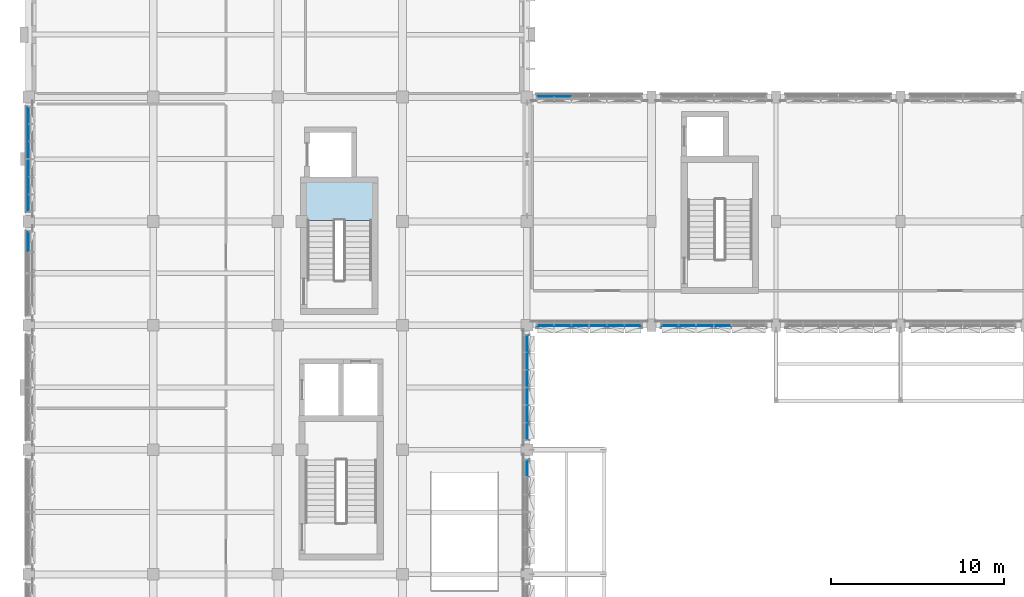
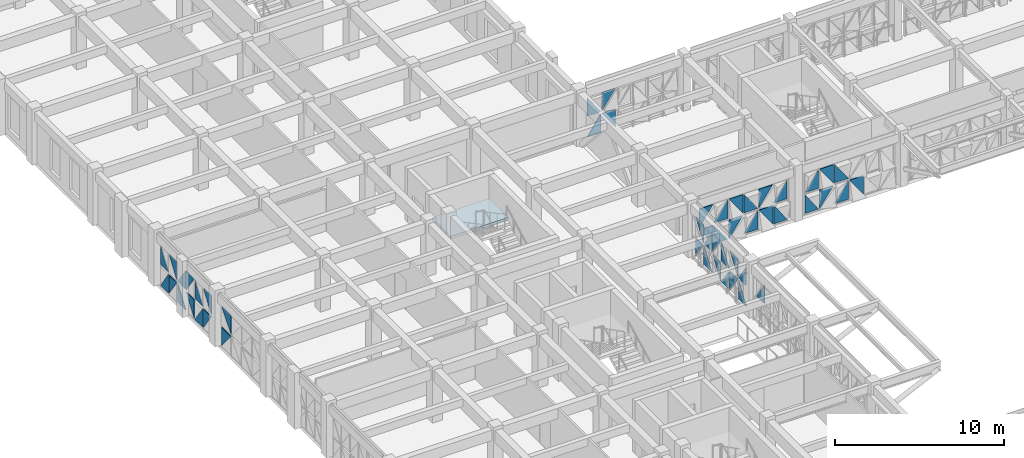
# One storey, part 33 of 88: 50 plates, 1 slab, 8 elements without a shape of their own.
"""IFC4 building model written with IfcOpenShell, lengths in metres."""

from ifc_helpers import new_model, si_unit, direction, frame, origin, place, context, subcontext, project, spatial, polyline, outline, extrude, material, layer, layer_set, type_object, element, aggregate, save


model = new_model("IFC4")

# Units and contexts
model_context = context("Model", 3, precision=1e-05, world=origin(), true_north=direction((0.0, 1.0)))
body_context = subcontext(model_context, "Body", "Model", "MODEL_VIEW")
ifc_project = project(units=[si_unit("LENGTHUNIT", "METRE"), si_unit("AREAUNIT", "SQUARE_METRE"), si_unit("VOLUMEUNIT", "CUBIC_METRE"), si_unit("PLANEANGLEUNIT", "RADIAN"), si_unit("MASSUNIT", "GRAM", prefix="KILO")], contexts=[model_context])

# Site, building, storey
site_placement = place(None, origin())
site = spatial("IfcSite", under=ifc_project, at=site_placement, CompositionType="ELEMENT")
building_placement = place(site_placement, origin())
building = spatial("IfcBuilding", under=site, at=building_placement, Name="Alvorim Cloister Faculty of Sciences", CompositionType="ELEMENT")
storey_placement = place(building_placement, frame((0.0, 0.0, 4.5)))
storey = spatial("IfcBuildingStorey", under=building, at=storey_placement, Name="L01", CompositionType="ELEMENT", Elevation=4.5)

# Curtain wall, plates
ifc_material_1 = material(Name="Aluminium and Low-E Glass Curtain Wall", Category="aluminium")
curtain_wall_type_1 = type_object("IfcCurtainWallType", Name="CW-TRI-4920x3170", PredefinedType="USERDEFINED", material=ifc_material_1)
curtain_wall_1_placement = place(storey_placement, origin())
curtain_wall_1 = element("IfcCurtainWall", 1, at=curtain_wall_1_placement, inside=storey, type_object=curtain_wall_type_1, Name="L01 Diagonal Cassette Curtain Wall CW-0010", ObjectType="UNITISED CURTAIN WALL", PredefinedType="USERDEFINED")
ifc_material_2 = material(Name="Double Low-E Laminated Glass", Category="glass")
ifc_layer_1 = layer(ifc_material_2, 0.0400390625)
ifc_layer_set_1 = layer_set([ifc_layer_1], Name="Double Low-E Laminated Glass")
plate_type = type_object("IfcPlateType", Name="PN-GLZ-40", PredefinedType="CURTAIN_PANEL", material=ifc_layer_set_1)
plate_1_placement = place(storey_placement, frame((-0.02490234375, 47.467529296875, 0.159912109375), z_axis=(0.0, 0.0, 1.0), x_axis=(0.0, 1.0, 0.0)))
plate_1 = element("IfcPlate", 2, at=plate_1_placement, type_object=plate_type, Name="Diagonal Glazed Triangle TRI-TR", PredefinedType="CURTAIN_PANEL", context=body_context, shape_type="SweptSolid", body=[
    extrude(outline(polyline([(1.117431640625, 0.001953125), (1.117431640625, 1.344970703125), (0.001953125, 1.344970703125), (1.117431640625, 0.001953125)])), frame((0.0, 0.02490234375, 0.0), z_axis=(0.0, -1.0, 0.0), x_axis=(1.0, 0.0, 0.0)), (0.0, 0.0, 1.0), 0.050048828125),
])
plate_2_placement = place(storey_placement, frame((-0.02490234375, 47.467529296875, 1.6650390625), z_axis=(0.0, 0.0, 1.0), x_axis=(0.0, 1.0, 0.0)))
plate_2 = element("IfcPlate", 3, at=plate_2_placement, type_object=plate_type, Name="Diagonal Glazed Triangle TRI-TL", PredefinedType="CURTAIN_PANEL", context=body_context, shape_type="SweptSolid", body=[
    extrude(outline(polyline([(1.115478515625, 1.344970703125), (0.0, 1.344970703125), (0.0, 0.001953125), (1.115478515625, 1.344970703125)])), frame((0.0, 0.02490234375, 0.0), z_axis=(0.0, -1.0, 0.0), x_axis=(1.0, 0.0, 0.0)), (0.0, 0.0, 1.0), 0.050048828125),
])
aggregate(curtain_wall_1, [plate_1, plate_2])

curtain_wall_type_2 = type_object("IfcCurtainWallType", Name="CW-TRI-6120x3170", PredefinedType="USERDEFINED", material=ifc_material_1)
curtain_wall_2_placement = place(storey_placement, origin())
curtain_wall_2 = element("IfcCurtainWall", 4, at=curtain_wall_2_placement, inside=storey, type_object=curtain_wall_type_2, Name="L01 Diagonal Cassette Curtain Wall CW-0011", ObjectType="UNITISED CURTAIN WALL", PredefinedType="USERDEFINED")
plate_3_placement = place(storey_placement, frame((-0.02490234375, 49.81494140625, 0.159912109375), z_axis=(0.0, 0.0, 1.0), x_axis=(0.0, 1.0, 0.0)))
plate_3 = element("IfcPlate", 5, at=plate_3_placement, type_object=plate_type, Name="Diagonal Glazed Triangle TRI-TR", PredefinedType="CURTAIN_PANEL", context=body_context, shape_type="SweptSolid", body=[
    extrude(outline(polyline([(0.907470703125, 0.001953125), (0.907470703125, 1.344970703125), (0.001953125, 1.344970703125), (0.907470703125, 0.001953125)])), frame((0.0, 0.02490234375, 0.0), z_axis=(0.0, -1.0, 0.0), x_axis=(1.0, 0.0, 0.0)), (0.0, 0.0, 1.0), 0.050048828125),
])
plate_4_placement = place(storey_placement, frame((-0.02490234375, 49.81494140625, 1.6650390625), z_axis=(0.0, 0.0, 1.0), x_axis=(0.0, 1.0, 0.0)))
plate_4 = element("IfcPlate", 6, at=plate_4_placement, type_object=plate_type, Name="Diagonal Glazed Triangle TRI-TL", PredefinedType="CURTAIN_PANEL", context=body_context, shape_type="SweptSolid", body=[
    extrude(outline(polyline([(0.905517578125, 1.344970703125), (0.0, 1.344970703125), (0.0, 0.001953125), (0.905517578125, 1.344970703125)])), frame((0.0, 0.02490234375, 0.0), z_axis=(0.0, -1.0, 0.0), x_axis=(1.0, 0.0, 0.0)), (0.0, 0.0, 1.0), 0.050048828125),
])
plate_5_placement = place(storey_placement, frame((-0.02490234375, 50.797607421875, 0.159912109375), z_axis=(0.0, 0.0, 1.0), x_axis=(0.0, 1.0, 0.0)))
plate_5 = element("IfcPlate", 7, at=plate_5_placement, type_object=plate_type, Name="Diagonal Glazed Triangle TRI-BL", PredefinedType="CURTAIN_PANEL", context=body_context, shape_type="SweptSolid", body=[
    extrude(outline(polyline([(0.0, 0.0), (0.943115234375, 0.0), (0.0, 1.343017578125), (0.0, 0.0)])), frame((0.0, 0.02490234375, 0.0), z_axis=(0.0, -1.0, 0.0), x_axis=(1.0, 0.0, 0.0)), (0.0, 0.0, 1.0), 0.050048828125),
])
plate_6_placement = place(storey_placement, frame((-0.02490234375, 50.797607421875, 1.6650390625), z_axis=(0.0, 0.0, 1.0), x_axis=(0.0, 1.0, 0.0)))
plate_6 = element("IfcPlate", 8, at=plate_6_placement, type_object=plate_type, Name="Diagonal Glazed Triangle TRI-BR", PredefinedType="CURTAIN_PANEL", context=body_context, shape_type="SweptSolid", body=[
    extrude(outline(polyline([(0.001953125, 0.0), (0.945068359375, 0.0), (0.945068359375, 1.343017578125), (0.001953125, 0.0)])), frame((0.0, 0.02490234375, 0.0), z_axis=(0.0, -1.0, 0.0), x_axis=(1.0, 0.0, 0.0)), (0.0, 0.0, 1.0), 0.050048828125),
])
plate_7_placement = place(storey_placement, frame((-0.02490234375, 51.8173828125, 0.159912109375), z_axis=(0.0, 0.0, 1.0), x_axis=(0.0, 1.0, 0.0)))
plate_7 = element("IfcPlate", 9, at=plate_7_placement, type_object=plate_type, Name="Diagonal Glazed Triangle TRI-TL", PredefinedType="CURTAIN_PANEL", context=body_context, shape_type="SweptSolid", body=[
    extrude(outline(polyline([(0.943115234375, 1.344970703125), (0.0, 1.344970703125), (0.0, 0.001953125), (0.943115234375, 1.344970703125)])), frame((0.0, 0.02490234375, 0.0), z_axis=(0.0, -1.0, 0.0), x_axis=(1.0, 0.0, 0.0)), (0.0, 0.0, 1.0), 0.050048828125),
])
plate_8_placement = place(storey_placement, frame((-0.02490234375, 51.8173828125, 1.6650390625), z_axis=(0.0, 0.0, 1.0), x_axis=(0.0, 1.0, 0.0)))
plate_8 = element("IfcPlate", 10, at=plate_8_placement, type_object=plate_type, Name="Diagonal Glazed Triangle TRI-TR", PredefinedType="CURTAIN_PANEL", context=body_context, shape_type="SweptSolid", body=[
    extrude(outline(polyline([(0.945068359375, 0.001953125), (0.945068359375, 1.344970703125), (0.001953125, 1.344970703125), (0.945068359375, 0.001953125)])), frame((0.0, 0.02490234375, 0.0), z_axis=(0.0, -1.0, 0.0), x_axis=(1.0, 0.0, 0.0)), (0.0, 0.0, 1.0), 0.050048828125),
])
plate_9_placement = place(storey_placement, frame((-0.02490234375, 52.83740234375, 0.159912109375), z_axis=(0.0, 0.0, 1.0), x_axis=(0.0, 1.0, 0.0)))
plate_9 = element("IfcPlate", 11, at=plate_9_placement, type_object=plate_type, Name="Diagonal Glazed Triangle TRI-BR", PredefinedType="CURTAIN_PANEL", context=body_context, shape_type="SweptSolid", body=[
    extrude(outline(polyline([(0.001953125, 0.0), (0.945068359375, 0.0), (0.945068359375, 1.343017578125), (0.001953125, 0.0)])), frame((0.0, 0.02490234375, 0.0), z_axis=(0.0, -1.0, 0.0), x_axis=(1.0, 0.0, 0.0)), (0.0, 0.0, 1.0), 0.050048828125),
])
plate_10_placement = place(storey_placement, frame((-0.02490234375, 52.83740234375, 1.6650390625), z_axis=(0.0, 0.0, 1.0), x_axis=(0.0, 1.0, 0.0)))
plate_10 = element("IfcPlate", 12, at=plate_10_placement, type_object=plate_type, Name="Diagonal Glazed Triangle TRI-BL", PredefinedType="CURTAIN_PANEL", context=body_context, shape_type="SweptSolid", body=[
    extrude(outline(polyline([(0.0, 0.0), (0.943115234375, 0.0), (0.0, 1.343017578125), (0.0, 0.0)])), frame((0.0, 0.02490234375, 0.0), z_axis=(0.0, -1.0, 0.0), x_axis=(1.0, 0.0, 0.0)), (0.0, 0.0, 1.0), 0.050048828125),
])
plate_11_placement = place(storey_placement, frame((-0.02490234375, 53.857421875, 0.159912109375), z_axis=(0.0, 0.0, 1.0), x_axis=(0.0, 1.0, 0.0)))
plate_11 = element("IfcPlate", 13, at=plate_11_placement, type_object=plate_type, Name="Diagonal Glazed Triangle TRI-TR", PredefinedType="CURTAIN_PANEL", context=body_context, shape_type="SweptSolid", body=[
    extrude(outline(polyline([(0.945068359375, 0.001953125), (0.945068359375, 1.344970703125), (0.001953125, 1.344970703125), (0.945068359375, 0.001953125)])), frame((0.0, 0.02490234375, 0.0), z_axis=(0.0, -1.0, 0.0), x_axis=(1.0, 0.0, 0.0)), (0.0, 0.0, 1.0), 0.050048828125),
])
plate_12_placement = place(storey_placement, frame((-0.02490234375, 53.857421875, 1.6650390625), z_axis=(0.0, 0.0, 1.0), x_axis=(0.0, 1.0, 0.0)))
plate_12 = element("IfcPlate", 14, at=plate_12_placement, type_object=plate_type, Name="Diagonal Glazed Triangle TRI-TL", PredefinedType="CURTAIN_PANEL", context=body_context, shape_type="SweptSolid", body=[
    extrude(outline(polyline([(0.943115234375, 1.344970703125), (0.0, 1.344970703125), (0.0, 0.001953125), (0.943115234375, 1.344970703125)])), frame((0.0, 0.02490234375, 0.0), z_axis=(0.0, -1.0, 0.0), x_axis=(1.0, 0.0, 0.0)), (0.0, 0.0, 1.0), 0.050048828125),
])
plate_13_placement = place(storey_placement, frame((-0.02490234375, 54.87744140625, 0.159912109375), z_axis=(0.0, 0.0, 1.0), x_axis=(0.0, 1.0, 0.0)))
plate_13 = element("IfcPlate", 15, at=plate_13_placement, type_object=plate_type, Name="Diagonal Glazed Triangle TRI-BL", PredefinedType="CURTAIN_PANEL", context=body_context, shape_type="SweptSolid", body=[
    extrude(outline(polyline([(0.0, 0.0), (0.905517578125, 0.0), (0.0, 1.343017578125), (0.0, 0.0)])), frame((0.0, 0.02490234375, 0.0), z_axis=(0.0, -1.0, 0.0), x_axis=(1.0, 0.0, 0.0)), (0.0, 0.0, 1.0), 0.050048828125),
])
plate_14_placement = place(storey_placement, frame((-0.02490234375, 54.87744140625, 1.6650390625), z_axis=(0.0, 0.0, 1.0), x_axis=(0.0, 1.0, 0.0)))
plate_14 = element("IfcPlate", 16, at=plate_14_placement, type_object=plate_type, Name="Diagonal Glazed Triangle TRI-BR", PredefinedType="CURTAIN_PANEL", context=body_context, shape_type="SweptSolid", body=[
    extrude(outline(polyline([(0.001953125, 0.0), (0.907470703125, 0.0), (0.907470703125, 1.343017578125), (0.001953125, 0.0)])), frame((0.0, 0.02490234375, 0.0), z_axis=(0.0, -1.0, 0.0), x_axis=(1.0, 0.0, 0.0)), (0.0, 0.0, 1.0), 0.050048828125),
])
aggregate(curtain_wall_2, [plate_3, plate_4, plate_5, plate_6, plate_7, plate_8, plate_9, plate_10, plate_11, plate_12, plate_13, plate_14])

curtain_wall_3_placement = place(storey_placement, origin())
curtain_wall_3 = element("IfcCurtainWall", 17, at=curtain_wall_3_placement, inside=storey, type_object=curtain_wall_type_2, Name="L01 Diagonal Cassette Curtain Wall CW-0012", ObjectType="UNITISED CURTAIN WALL", PredefinedType="USERDEFINED")
plate_15_placement = place(storey_placement, frame((29.4150390625, 56.425048828125, 0.159912109375), z_axis=(0.0, 0.0, 1.0), x_axis=(1.0, 0.0, 0.0)))
plate_15 = element("IfcPlate", 18, at=plate_15_placement, type_object=plate_type, Name="Diagonal Glazed Triangle TRI-BR", PredefinedType="CURTAIN_PANEL", context=body_context, shape_type="SweptSolid", body=[
    extrude(outline(polyline([(0.001953125, 0.0), (0.907470703125, 0.0), (0.907470703125, 1.343017578125), (0.001953125, 0.0)])), frame((0.0, 0.02490234375, 0.0), z_axis=(0.0, -1.0, 0.0), x_axis=(1.0, 0.0, 0.0)), (0.0, 0.0, 1.0), 0.050048828125),
])
plate_16_placement = place(storey_placement, frame((29.4150390625, 56.425048828125, 1.6650390625), z_axis=(0.0, 0.0, 1.0), x_axis=(1.0, 0.0, 0.0)))
plate_16 = element("IfcPlate", 19, at=plate_16_placement, type_object=plate_type, Name="Diagonal Glazed Triangle TRI-BL", PredefinedType="CURTAIN_PANEL", context=body_context, shape_type="SweptSolid", body=[
    extrude(outline(polyline([(0.0, 0.0), (0.905517578125, 0.0), (0.0, 1.343017578125), (0.0, 0.0)])), frame((0.0, 0.02490234375, 0.0), z_axis=(0.0, -1.0, 0.0), x_axis=(1.0, 0.0, 0.0)), (0.0, 0.0, 1.0), 0.050048828125),
])
plate_17_placement = place(storey_placement, frame((30.3974609375, 56.425048828125, 0.159912109375), z_axis=(0.0, 0.0, 1.0), x_axis=(1.0, 0.0, 0.0)))
plate_17 = element("IfcPlate", 20, at=plate_17_placement, type_object=plate_type, Name="Diagonal Glazed Triangle TRI-TR", PredefinedType="CURTAIN_PANEL", context=body_context, shape_type="SweptSolid", body=[
    extrude(outline(polyline([(0.945068359375, 0.001953125), (0.945068359375, 1.344970703125), (0.001953125, 1.344970703125), (0.945068359375, 0.001953125)])), frame((0.0, 0.02490234375, 0.0), z_axis=(0.0, -1.0, 0.0), x_axis=(1.0, 0.0, 0.0)), (0.0, 0.0, 1.0), 0.050048828125),
])
plate_18_placement = place(storey_placement, frame((30.3974609375, 56.425048828125, 1.6650390625), z_axis=(0.0, 0.0, 1.0), x_axis=(1.0, 0.0, 0.0)))
plate_18 = element("IfcPlate", 21, at=plate_18_placement, type_object=plate_type, Name="Diagonal Glazed Triangle TRI-TL", PredefinedType="CURTAIN_PANEL", context=body_context, shape_type="SweptSolid", body=[
    extrude(outline(polyline([(0.943115234375, 1.344970703125), (0.0, 1.344970703125), (0.0, 0.001953125), (0.943115234375, 1.344970703125)])), frame((0.0, 0.02490234375, 0.0), z_axis=(0.0, -1.0, 0.0), x_axis=(1.0, 0.0, 0.0)), (0.0, 0.0, 1.0), 0.050048828125),
])
aggregate(curtain_wall_3, [plate_15, plate_16, plate_17, plate_18])

curtain_wall_4_placement = place(storey_placement, origin())
curtain_wall_4 = element("IfcCurtainWall", 22, at=curtain_wall_4_placement, inside=storey, type_object=curtain_wall_type_2, Name="L01 Diagonal Cassette Curtain Wall CW-0022", ObjectType="UNITISED CURTAIN WALL", PredefinedType="USERDEFINED")
plate_19_placement = place(storey_placement, frame((36.614990234375, 43.175048828125, 0.159912109375), z_axis=(0.0, 0.0, 1.0), x_axis=(1.0, 0.0, 0.0)))
plate_19 = element("IfcPlate", 23, at=plate_19_placement, type_object=plate_type, Name="Diagonal Glazed Triangle TRI-BL", PredefinedType="CURTAIN_PANEL", context=body_context, shape_type="SweptSolid", body=[
    extrude(outline(polyline([(0.0, 0.0), (0.905517578125, 0.0), (0.0, 1.343017578125), (0.0, 0.0)])), frame((0.0, 0.02490234375, 0.0), z_axis=(0.0, -1.0, 0.0), x_axis=(1.0, 0.0, 0.0)), (0.0, 0.0, 1.0), 0.050048828125),
])
plate_20_placement = place(storey_placement, frame((36.614990234375, 43.175048828125, 1.6650390625), z_axis=(0.0, 0.0, 1.0), x_axis=(1.0, 0.0, 0.0)))
plate_20 = element("IfcPlate", 24, at=plate_20_placement, type_object=plate_type, Name="Diagonal Glazed Triangle TRI-BR", PredefinedType="CURTAIN_PANEL", context=body_context, shape_type="SweptSolid", body=[
    extrude(outline(polyline([(0.001953125, 0.0), (0.907470703125, 0.0), (0.907470703125, 1.343017578125), (0.001953125, 0.0)])), frame((0.0, 0.02490234375, 0.0), z_axis=(0.0, -1.0, 0.0), x_axis=(1.0, 0.0, 0.0)), (0.0, 0.0, 1.0), 0.050048828125),
])
plate_21_placement = place(storey_placement, frame((37.597412109375, 43.175048828125, 0.159912109375), z_axis=(0.0, 0.0, 1.0), x_axis=(1.0, 0.0, 0.0)))
plate_21 = element("IfcPlate", 25, at=plate_21_placement, type_object=plate_type, Name="Diagonal Glazed Triangle TRI-TL", PredefinedType="CURTAIN_PANEL", context=body_context, shape_type="SweptSolid", body=[
    extrude(outline(polyline([(0.943115234375, 1.344970703125), (0.0, 1.344970703125), (0.0, 0.001953125), (0.943115234375, 1.344970703125)])), frame((0.0, 0.02490234375, 0.0), z_axis=(0.0, -1.0, 0.0), x_axis=(1.0, 0.0, 0.0)), (0.0, 0.0, 1.0), 0.050048828125),
])
plate_22_placement = place(storey_placement, frame((37.597412109375, 43.175048828125, 1.6650390625), z_axis=(0.0, 0.0, 1.0), x_axis=(1.0, 0.0, 0.0)))
plate_22 = element("IfcPlate", 26, at=plate_22_placement, type_object=plate_type, Name="Diagonal Glazed Triangle TRI-TR", PredefinedType="CURTAIN_PANEL", context=body_context, shape_type="SweptSolid", body=[
    extrude(outline(polyline([(0.945068359375, 0.001953125), (0.945068359375, 1.344970703125), (0.001953125, 1.344970703125), (0.945068359375, 0.001953125)])), frame((0.0, 0.02490234375, 0.0), z_axis=(0.0, -1.0, 0.0), x_axis=(1.0, 0.0, 0.0)), (0.0, 0.0, 1.0), 0.050048828125),
])
plate_23_placement = place(storey_placement, frame((38.617431640625, 43.175048828125, 0.159912109375), z_axis=(0.0, 0.0, 1.0), x_axis=(1.0, 0.0, 0.0)))
plate_23 = element("IfcPlate", 27, at=plate_23_placement, type_object=plate_type, Name="Diagonal Glazed Triangle TRI-BR", PredefinedType="CURTAIN_PANEL", context=body_context, shape_type="SweptSolid", body=[
    extrude(outline(polyline([(0.001953125, 0.0), (0.945068359375, 0.0), (0.945068359375, 1.343017578125), (0.001953125, 0.0)])), frame((0.0, 0.02490234375, 0.0), z_axis=(0.0, -1.0, 0.0), x_axis=(1.0, 0.0, 0.0)), (0.0, 0.0, 1.0), 0.050048828125),
])
plate_24_placement = place(storey_placement, frame((38.617431640625, 43.175048828125, 1.6650390625), z_axis=(0.0, 0.0, 1.0), x_axis=(1.0, 0.0, 0.0)))
plate_24 = element("IfcPlate", 28, at=plate_24_placement, type_object=plate_type, Name="Diagonal Glazed Triangle TRI-BL", PredefinedType="CURTAIN_PANEL", context=body_context, shape_type="SweptSolid", body=[
    extrude(outline(polyline([(0.0, 0.0), (0.943115234375, 0.0), (0.0, 1.343017578125), (0.0, 0.0)])), frame((0.0, 0.02490234375, 0.0), z_axis=(0.0, -1.0, 0.0), x_axis=(1.0, 0.0, 0.0)), (0.0, 0.0, 1.0), 0.050048828125),
])
plate_25_placement = place(storey_placement, frame((39.637451171875, 43.175048828125, 0.159912109375), z_axis=(0.0, 0.0, 1.0), x_axis=(1.0, 0.0, 0.0)))
plate_25 = element("IfcPlate", 29, at=plate_25_placement, type_object=plate_type, Name="Diagonal Glazed Triangle TRI-TR", PredefinedType="CURTAIN_PANEL", context=body_context, shape_type="SweptSolid", body=[
    extrude(outline(polyline([(0.945068359375, 0.001953125), (0.945068359375, 1.344970703125), (0.001953125, 1.344970703125), (0.945068359375, 0.001953125)])), frame((0.0, 0.02490234375, 0.0), z_axis=(0.0, -1.0, 0.0), x_axis=(1.0, 0.0, 0.0)), (0.0, 0.0, 1.0), 0.050048828125),
])
aggregate(curtain_wall_4, [plate_19, plate_20, plate_21, plate_22, plate_23, plate_24, plate_25])

curtain_wall_5_placement = place(storey_placement, origin())
curtain_wall_5 = element("IfcCurtainWall", 30, at=curtain_wall_5_placement, inside=storey, type_object=curtain_wall_type_2, Name="L01 Diagonal Cassette Curtain Wall CW-0023", ObjectType="UNITISED CURTAIN WALL", PredefinedType="USERDEFINED")
plate_26_placement = place(storey_placement, frame((29.4150390625, 43.175048828125, 0.159912109375), z_axis=(0.0, 0.0, 1.0), x_axis=(1.0, 0.0, 0.0)))
plate_26 = element("IfcPlate", 31, at=plate_26_placement, type_object=plate_type, Name="Diagonal Glazed Triangle TRI-TR", PredefinedType="CURTAIN_PANEL", context=body_context, shape_type="SweptSolid", body=[
    extrude(outline(polyline([(0.907470703125, 0.001953125), (0.907470703125, 1.344970703125), (0.001953125, 1.344970703125), (0.907470703125, 0.001953125)])), frame((0.0, 0.02490234375, 0.0), z_axis=(0.0, -1.0, 0.0), x_axis=(1.0, 0.0, 0.0)), (0.0, 0.0, 1.0), 0.050048828125),
])
plate_27_placement = place(storey_placement, frame((29.4150390625, 43.175048828125, 1.6650390625), z_axis=(0.0, 0.0, 1.0), x_axis=(1.0, 0.0, 0.0)))
plate_27 = element("IfcPlate", 32, at=plate_27_placement, type_object=plate_type, Name="Diagonal Glazed Triangle TRI-TL", PredefinedType="CURTAIN_PANEL", context=body_context, shape_type="SweptSolid", body=[
    extrude(outline(polyline([(0.905517578125, 1.344970703125), (0.0, 1.344970703125), (0.0, 0.001953125), (0.905517578125, 1.344970703125)])), frame((0.0, 0.02490234375, 0.0), z_axis=(0.0, -1.0, 0.0), x_axis=(1.0, 0.0, 0.0)), (0.0, 0.0, 1.0), 0.050048828125),
])
plate_28_placement = place(storey_placement, frame((30.3974609375, 43.175048828125, 0.159912109375), z_axis=(0.0, 0.0, 1.0), x_axis=(1.0, 0.0, 0.0)))
plate_28 = element("IfcPlate", 33, at=plate_28_placement, type_object=plate_type, Name="Diagonal Glazed Triangle TRI-BL", PredefinedType="CURTAIN_PANEL", context=body_context, shape_type="SweptSolid", body=[
    extrude(outline(polyline([(0.0, 0.0), (0.943115234375, 0.0), (0.0, 1.343017578125), (0.0, 0.0)])), frame((0.0, 0.02490234375, 0.0), z_axis=(0.0, -1.0, 0.0), x_axis=(1.0, 0.0, 0.0)), (0.0, 0.0, 1.0), 0.050048828125),
])
plate_29_placement = place(storey_placement, frame((30.3974609375, 43.175048828125, 1.6650390625), z_axis=(0.0, 0.0, 1.0), x_axis=(1.0, 0.0, 0.0)))
plate_29 = element("IfcPlate", 34, at=plate_29_placement, type_object=plate_type, Name="Diagonal Glazed Triangle TRI-BR", PredefinedType="CURTAIN_PANEL", context=body_context, shape_type="SweptSolid", body=[
    extrude(outline(polyline([(0.001953125, 0.0), (0.945068359375, 0.0), (0.945068359375, 1.343017578125), (0.001953125, 0.0)])), frame((0.0, 0.02490234375, 0.0), z_axis=(0.0, -1.0, 0.0), x_axis=(1.0, 0.0, 0.0)), (0.0, 0.0, 1.0), 0.050048828125),
])
plate_30_placement = place(storey_placement, frame((31.41748046875, 43.175048828125, 0.159912109375), z_axis=(0.0, 0.0, 1.0), x_axis=(1.0, 0.0, 0.0)))
plate_30 = element("IfcPlate", 35, at=plate_30_placement, type_object=plate_type, Name="Diagonal Glazed Triangle TRI-TL", PredefinedType="CURTAIN_PANEL", context=body_context, shape_type="SweptSolid", body=[
    extrude(outline(polyline([(0.943115234375, 1.344970703125), (0.0, 1.344970703125), (0.0, 0.001953125), (0.943115234375, 1.344970703125)])), frame((0.0, 0.02490234375, 0.0), z_axis=(0.0, -1.0, 0.0), x_axis=(1.0, 0.0, 0.0)), (0.0, 0.0, 1.0), 0.050048828125),
])
plate_31_placement = place(storey_placement, frame((31.41748046875, 43.175048828125, 1.6650390625), z_axis=(0.0, 0.0, 1.0), x_axis=(1.0, 0.0, 0.0)))
plate_31 = element("IfcPlate", 36, at=plate_31_placement, type_object=plate_type, Name="Diagonal Glazed Triangle TRI-TR", PredefinedType="CURTAIN_PANEL", context=body_context, shape_type="SweptSolid", body=[
    extrude(outline(polyline([(0.945068359375, 0.001953125), (0.945068359375, 1.344970703125), (0.001953125, 1.344970703125), (0.945068359375, 0.001953125)])), frame((0.0, 0.02490234375, 0.0), z_axis=(0.0, -1.0, 0.0), x_axis=(1.0, 0.0, 0.0)), (0.0, 0.0, 1.0), 0.050048828125),
])
plate_32_placement = place(storey_placement, frame((32.4375, 43.175048828125, 0.159912109375), z_axis=(0.0, 0.0, 1.0), x_axis=(1.0, 0.0, 0.0)))
plate_32 = element("IfcPlate", 37, at=plate_32_placement, type_object=plate_type, Name="Diagonal Glazed Triangle TRI-BR", PredefinedType="CURTAIN_PANEL", context=body_context, shape_type="SweptSolid", body=[
    extrude(outline(polyline([(0.001953125, 0.0), (0.945068359375, 0.0), (0.945068359375, 1.343017578125), (0.001953125, 0.0)])), frame((0.0, 0.02490234375, 0.0), z_axis=(0.0, -1.0, 0.0), x_axis=(1.0, 0.0, 0.0)), (0.0, 0.0, 1.0), 0.050048828125),
])
plate_33_placement = place(storey_placement, frame((32.4375, 43.175048828125, 1.6650390625), z_axis=(0.0, 0.0, 1.0), x_axis=(1.0, 0.0, 0.0)))
plate_33 = element("IfcPlate", 38, at=plate_33_placement, type_object=plate_type, Name="Diagonal Glazed Triangle TRI-BL", PredefinedType="CURTAIN_PANEL", context=body_context, shape_type="SweptSolid", body=[
    extrude(outline(polyline([(0.0, 0.0), (0.943115234375, 0.0), (0.0, 1.343017578125), (0.0, 0.0)])), frame((0.0, 0.02490234375, 0.0), z_axis=(0.0, -1.0, 0.0), x_axis=(1.0, 0.0, 0.0)), (0.0, 0.0, 1.0), 0.050048828125),
])
plate_34_placement = place(storey_placement, frame((33.45751953125, 43.175048828125, 0.159912109375), z_axis=(0.0, 0.0, 1.0), x_axis=(1.0, 0.0, 0.0)))
plate_34 = element("IfcPlate", 39, at=plate_34_placement, type_object=plate_type, Name="Diagonal Glazed Triangle TRI-TR", PredefinedType="CURTAIN_PANEL", context=body_context, shape_type="SweptSolid", body=[
    extrude(outline(polyline([(0.945068359375, 0.001953125), (0.945068359375, 1.344970703125), (0.001953125, 1.344970703125), (0.945068359375, 0.001953125)])), frame((0.0, 0.02490234375, 0.0), z_axis=(0.0, -1.0, 0.0), x_axis=(1.0, 0.0, 0.0)), (0.0, 0.0, 1.0), 0.050048828125),
])
plate_35_placement = place(storey_placement, frame((33.45751953125, 43.175048828125, 1.6650390625), z_axis=(0.0, 0.0, 1.0), x_axis=(1.0, 0.0, 0.0)))
plate_35 = element("IfcPlate", 40, at=plate_35_placement, type_object=plate_type, Name="Diagonal Glazed Triangle TRI-TL", PredefinedType="CURTAIN_PANEL", context=body_context, shape_type="SweptSolid", body=[
    extrude(outline(polyline([(0.943115234375, 1.344970703125), (0.0, 1.344970703125), (0.0, 0.001953125), (0.943115234375, 1.344970703125)])), frame((0.0, 0.02490234375, 0.0), z_axis=(0.0, -1.0, 0.0), x_axis=(1.0, 0.0, 0.0)), (0.0, 0.0, 1.0), 0.050048828125),
])
plate_36_placement = place(storey_placement, frame((34.4775390625, 43.175048828125, 0.159912109375), z_axis=(0.0, 0.0, 1.0), x_axis=(1.0, 0.0, 0.0)))
plate_36 = element("IfcPlate", 41, at=plate_36_placement, type_object=plate_type, Name="Diagonal Glazed Triangle TRI-BL", PredefinedType="CURTAIN_PANEL", context=body_context, shape_type="SweptSolid", body=[
    extrude(outline(polyline([(0.0, 0.0), (0.905517578125, 0.0), (0.0, 1.343017578125), (0.0, 0.0)])), frame((0.0, 0.02490234375, 0.0), z_axis=(0.0, -1.0, 0.0), x_axis=(1.0, 0.0, 0.0)), (0.0, 0.0, 1.0), 0.050048828125),
])
plate_37_placement = place(storey_placement, frame((34.4775390625, 43.175048828125, 1.6650390625), z_axis=(0.0, 0.0, 1.0), x_axis=(1.0, 0.0, 0.0)))
plate_37 = element("IfcPlate", 42, at=plate_37_placement, type_object=plate_type, Name="Diagonal Glazed Triangle TRI-BR", PredefinedType="CURTAIN_PANEL", context=body_context, shape_type="SweptSolid", body=[
    extrude(outline(polyline([(0.001953125, 0.0), (0.907470703125, 0.0), (0.907470703125, 1.343017578125), (0.001953125, 0.0)])), frame((0.0, 0.02490234375, 0.0), z_axis=(0.0, -1.0, 0.0), x_axis=(1.0, 0.0, 0.0)), (0.0, 0.0, 1.0), 0.050048828125),
])
aggregate(curtain_wall_5, [plate_26, plate_27, plate_28, plate_29, plate_30, plate_31, plate_32, plate_33, plate_34, plate_35, plate_36, plate_37])

curtain_wall_6_placement = place(storey_placement, origin())
curtain_wall_6 = element("IfcCurtainWall", 43, at=curtain_wall_6_placement, inside=storey, type_object=curtain_wall_type_2, Name="L01 Diagonal Cassette Curtain Wall CW-0024", ObjectType="UNITISED CURTAIN WALL", PredefinedType="USERDEFINED")
plate_38_placement = place(storey_placement, frame((28.824951171875, 36.614990234375, 0.159912109375), z_axis=(0.0, 0.0, 1.0), x_axis=(0.0, 1.0, 0.0)))
plate_38 = element("IfcPlate", 44, at=plate_38_placement, type_object=plate_type, Name="Diagonal Glazed Triangle TRI-BR", PredefinedType="CURTAIN_PANEL", context=body_context, shape_type="SweptSolid", body=[
    extrude(outline(polyline([(0.001953125, 0.0), (0.907470703125, 0.0), (0.907470703125, 1.343017578125), (0.001953125, 0.0)])), frame((0.0, 0.02490234375, 0.0), z_axis=(0.0, -1.0, 0.0), x_axis=(1.0, 0.0, 0.0)), (0.0, 0.0, 1.0), 0.050048828125),
])
plate_39_placement = place(storey_placement, frame((28.824951171875, 36.614990234375, 1.6650390625), z_axis=(0.0, 0.0, 1.0), x_axis=(0.0, 1.0, 0.0)))
plate_39 = element("IfcPlate", 45, at=plate_39_placement, type_object=plate_type, Name="Diagonal Glazed Triangle TRI-BL", PredefinedType="CURTAIN_PANEL", context=body_context, shape_type="SweptSolid", body=[
    extrude(outline(polyline([(0.0, 0.0), (0.905517578125, 0.0), (0.0, 1.343017578125), (0.0, 0.0)])), frame((0.0, 0.02490234375, 0.0), z_axis=(0.0, -1.0, 0.0), x_axis=(1.0, 0.0, 0.0)), (0.0, 0.0, 1.0), 0.050048828125),
])
plate_40_placement = place(storey_placement, frame((28.824951171875, 37.597412109375, 0.159912109375), z_axis=(0.0, 0.0, 1.0), x_axis=(0.0, 1.0, 0.0)))
plate_40 = element("IfcPlate", 46, at=plate_40_placement, type_object=plate_type, Name="Diagonal Glazed Triangle TRI-TR", PredefinedType="CURTAIN_PANEL", context=body_context, shape_type="SweptSolid", body=[
    extrude(outline(polyline([(0.945068359375, 0.001953125), (0.945068359375, 1.344970703125), (0.001953125, 1.344970703125), (0.945068359375, 0.001953125)])), frame((0.0, 0.02490234375, 0.0), z_axis=(0.0, -1.0, 0.0), x_axis=(1.0, 0.0, 0.0)), (0.0, 0.0, 1.0), 0.050048828125),
])
plate_41_placement = place(storey_placement, frame((28.824951171875, 37.597412109375, 1.6650390625), z_axis=(0.0, 0.0, 1.0), x_axis=(0.0, 1.0, 0.0)))
plate_41 = element("IfcPlate", 47, at=plate_41_placement, type_object=plate_type, Name="Diagonal Glazed Triangle TRI-TL", PredefinedType="CURTAIN_PANEL", context=body_context, shape_type="SweptSolid", body=[
    extrude(outline(polyline([(0.943115234375, 1.344970703125), (0.0, 1.344970703125), (0.0, 0.001953125), (0.943115234375, 1.344970703125)])), frame((0.0, 0.02490234375, 0.0), z_axis=(0.0, -1.0, 0.0), x_axis=(1.0, 0.0, 0.0)), (0.0, 0.0, 1.0), 0.050048828125),
])
plate_42_placement = place(storey_placement, frame((28.824951171875, 38.617431640625, 0.159912109375), z_axis=(0.0, 0.0, 1.0), x_axis=(0.0, 1.0, 0.0)))
plate_42 = element("IfcPlate", 48, at=plate_42_placement, type_object=plate_type, Name="Diagonal Glazed Triangle TRI-BL", PredefinedType="CURTAIN_PANEL", context=body_context, shape_type="SweptSolid", body=[
    extrude(outline(polyline([(0.0, 0.0), (0.943115234375, 0.0), (0.0, 1.343017578125), (0.0, 0.0)])), frame((0.0, 0.02490234375, 0.0), z_axis=(0.0, -1.0, 0.0), x_axis=(1.0, 0.0, 0.0)), (0.0, 0.0, 1.0), 0.050048828125),
])
plate_43_placement = place(storey_placement, frame((28.824951171875, 38.617431640625, 1.6650390625), z_axis=(0.0, 0.0, 1.0), x_axis=(0.0, 1.0, 0.0)))
plate_43 = element("IfcPlate", 49, at=plate_43_placement, type_object=plate_type, Name="Diagonal Glazed Triangle TRI-BR", PredefinedType="CURTAIN_PANEL", context=body_context, shape_type="SweptSolid", body=[
    extrude(outline(polyline([(0.001953125, 0.0), (0.945068359375, 0.0), (0.945068359375, 1.343017578125), (0.001953125, 0.0)])), frame((0.0, 0.02490234375, 0.0), z_axis=(0.0, -1.0, 0.0), x_axis=(1.0, 0.0, 0.0)), (0.0, 0.0, 1.0), 0.050048828125),
])
plate_44_placement = place(storey_placement, frame((28.824951171875, 39.637451171875, 0.159912109375), z_axis=(0.0, 0.0, 1.0), x_axis=(0.0, 1.0, 0.0)))
plate_44 = element("IfcPlate", 50, at=plate_44_placement, type_object=plate_type, Name="Diagonal Glazed Triangle TRI-TL", PredefinedType="CURTAIN_PANEL", context=body_context, shape_type="SweptSolid", body=[
    extrude(outline(polyline([(0.943115234375, 1.344970703125), (0.0, 1.344970703125), (0.0, 0.001953125), (0.943115234375, 1.344970703125)])), frame((0.0, 0.02490234375, 0.0), z_axis=(0.0, -1.0, 0.0), x_axis=(1.0, 0.0, 0.0)), (0.0, 0.0, 1.0), 0.050048828125),
])
plate_45_placement = place(storey_placement, frame((28.824951171875, 39.637451171875, 1.6650390625), z_axis=(0.0, 0.0, 1.0), x_axis=(0.0, 1.0, 0.0)))
plate_45 = element("IfcPlate", 51, at=plate_45_placement, type_object=plate_type, Name="Diagonal Glazed Triangle TRI-TR", PredefinedType="CURTAIN_PANEL", context=body_context, shape_type="SweptSolid", body=[
    extrude(outline(polyline([(0.945068359375, 0.001953125), (0.945068359375, 1.344970703125), (0.001953125, 1.344970703125), (0.945068359375, 0.001953125)])), frame((0.0, 0.02490234375, 0.0), z_axis=(0.0, -1.0, 0.0), x_axis=(1.0, 0.0, 0.0)), (0.0, 0.0, 1.0), 0.050048828125),
])
plate_46_placement = place(storey_placement, frame((28.824951171875, 40.657470703125, 0.159912109375), z_axis=(0.0, 0.0, 1.0), x_axis=(0.0, 1.0, 0.0)))
plate_46 = element("IfcPlate", 52, at=plate_46_placement, type_object=plate_type, Name="Diagonal Glazed Triangle TRI-BR", PredefinedType="CURTAIN_PANEL", context=body_context, shape_type="SweptSolid", body=[
    extrude(outline(polyline([(0.001953125, 0.0), (0.945068359375, 0.0), (0.945068359375, 1.343017578125), (0.001953125, 0.0)])), frame((0.0, 0.02490234375, 0.0), z_axis=(0.0, -1.0, 0.0), x_axis=(1.0, 0.0, 0.0)), (0.0, 0.0, 1.0), 0.050048828125),
])
plate_47_placement = place(storey_placement, frame((28.824951171875, 40.657470703125, 1.6650390625), z_axis=(0.0, 0.0, 1.0), x_axis=(0.0, 1.0, 0.0)))
plate_47 = element("IfcPlate", 53, at=plate_47_placement, type_object=plate_type, Name="Diagonal Glazed Triangle TRI-BL", PredefinedType="CURTAIN_PANEL", context=body_context, shape_type="SweptSolid", body=[
    extrude(outline(polyline([(0.0, 0.0), (0.943115234375, 0.0), (0.0, 1.343017578125), (0.0, 0.0)])), frame((0.0, 0.02490234375, 0.0), z_axis=(0.0, -1.0, 0.0), x_axis=(1.0, 0.0, 0.0)), (0.0, 0.0, 1.0), 0.050048828125),
])
plate_48_placement = place(storey_placement, frame((28.824951171875, 41.677490234375, 0.159912109375), z_axis=(0.0, 0.0, 1.0), x_axis=(0.0, 1.0, 0.0)))
plate_48 = element("IfcPlate", 54, at=plate_48_placement, type_object=plate_type, Name="Diagonal Glazed Triangle TRI-TR", PredefinedType="CURTAIN_PANEL", context=body_context, shape_type="SweptSolid", body=[
    extrude(outline(polyline([(0.907470703125, 0.001953125), (0.907470703125, 1.344970703125), (0.001953125, 1.344970703125), (0.907470703125, 0.001953125)])), frame((0.0, 0.02490234375, 0.0), z_axis=(0.0, -1.0, 0.0), x_axis=(1.0, 0.0, 0.0)), (0.0, 0.0, 1.0), 0.050048828125),
])
plate_49_placement = place(storey_placement, frame((28.824951171875, 41.677490234375, 1.6650390625), z_axis=(0.0, 0.0, 1.0), x_axis=(0.0, 1.0, 0.0)))
plate_49 = element("IfcPlate", 55, at=plate_49_placement, type_object=plate_type, Name="Diagonal Glazed Triangle TRI-TL", PredefinedType="CURTAIN_PANEL", context=body_context, shape_type="SweptSolid", body=[
    extrude(outline(polyline([(0.905517578125, 1.344970703125), (0.0, 1.344970703125), (0.0, 0.001953125), (0.905517578125, 1.344970703125)])), frame((0.0, 0.02490234375, 0.0), z_axis=(0.0, -1.0, 0.0), x_axis=(1.0, 0.0, 0.0)), (0.0, 0.0, 1.0), 0.050048828125),
])
aggregate(curtain_wall_6, [plate_38, plate_39, plate_40, plate_41, plate_42, plate_43, plate_44, plate_45, plate_46, plate_47, plate_48, plate_49])

# Curtain wall, plate
curtain_wall_7_placement = place(storey_placement, origin())
curtain_wall_7 = element("IfcCurtainWall", 56, at=curtain_wall_7_placement, inside=storey, type_object=curtain_wall_type_2, Name="L01 Diagonal Cassette Curtain Wall CW-0025", ObjectType="UNITISED CURTAIN WALL", PredefinedType="USERDEFINED")
plate_50_placement = place(storey_placement, frame((28.824951171875, 34.4775390625, 1.6650390625), z_axis=(0.0, 0.0, 1.0), x_axis=(0.0, 1.0, 0.0)))
plate_50 = element("IfcPlate", 57, at=plate_50_placement, type_object=plate_type, Name="Diagonal Glazed Triangle TRI-BL", PredefinedType="CURTAIN_PANEL", context=body_context, shape_type="SweptSolid", body=[
    extrude(outline(polyline([(0.0, 0.0), (0.905517578125, 0.0), (0.0, 1.343017578125), (0.0, 0.0)])), frame((0.0, 0.02490234375, 0.0), z_axis=(0.0, -1.0, 0.0), x_axis=(1.0, 0.0, 0.0)), (0.0, 0.0, 1.0), 0.050048828125),
])
aggregate(curtain_wall_7, [plate_50])

# Stair, slab
ifc_material_3 = material(Name="Concrete C40", Category="concrete")
stair_type = type_object("IfcStairType", Name="STR-ST-03-1600x4050", PredefinedType="HALF_TURN_STAIR", material=ifc_material_3)
stair_placement = place(storey_placement, origin())
stair = element("IfcStair", 58, at=stair_placement, inside=storey, type_object=stair_type, Name="L01 Enclosed Smoke-Proof Stair ST-03", PredefinedType="HALF_TURN_STAIR")
ifc_layer_2 = layer(ifc_material_3, 0.199951171875)
ifc_layer_set_2 = layer_set([ifc_layer_2], Name="Concrete C40")
slab_type = type_object("IfcSlabType", Name="SL-LAND-200", PredefinedType="LANDING", material=ifc_layer_set_2)
slab_placement = place(storey_placement, frame((0.0, 0.0, 1.824951171875)))
slab = element("IfcSlab", 59, at=slab_placement, type_object=slab_type, Name="ST-03 landing 1", PredefinedType="LANDING", context=body_context, shape_type="SweptSolid", body=[
    extrude(outline(polyline([(19.93994140625, 49.264892578125), (19.93994140625, 51.52001953125), (15.97998046875, 51.52001953125), (15.97998046875, 49.264892578125), (19.93994140625, 49.264892578125)])), origin(), (0.0, 0.0, 1.0), 0.199951171875),
])
aggregate(stair, [slab])

save(model, "model.ifc")
